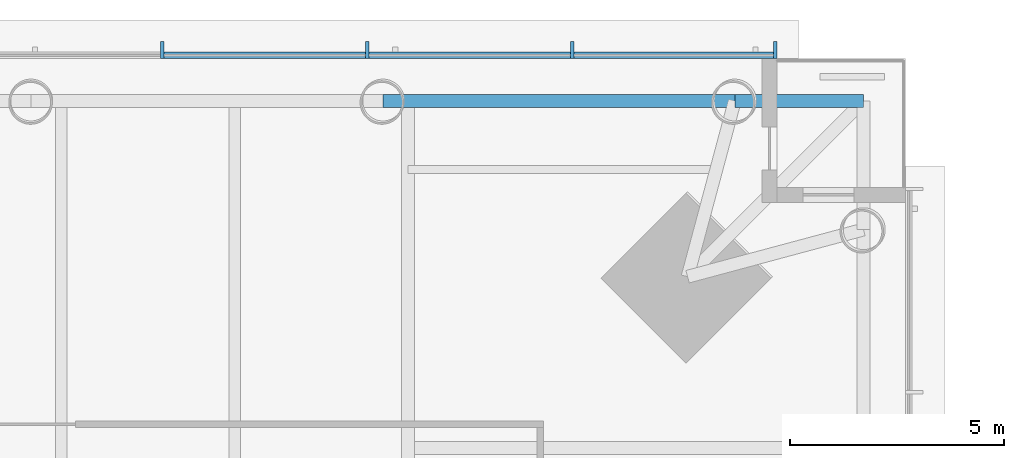
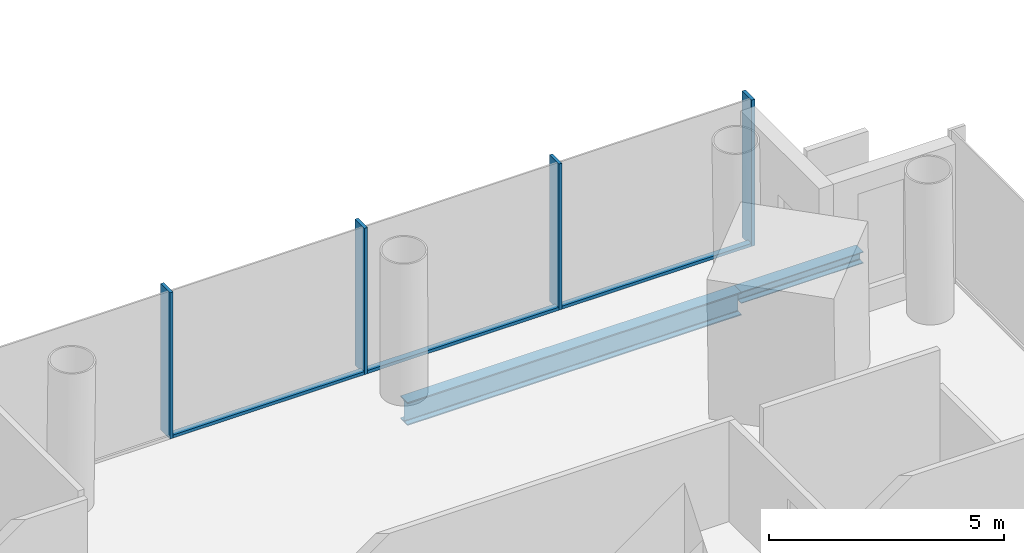
# One storey, part 4 of 26: 7 members, 2 beams, 1 element without a shape of its own.
"""IFC4 building model written with IfcOpenShell, lengths in metres."""

from ifc_helpers import new_model, si_unit, direction, frame, origin, origin_2d, place, context, subcontext, project, spatial, rectangle, i_section, extrude, material, material_profile, profile_set, type_object, element, aggregate, save


model = new_model("IFC4")

# Units and contexts
model_context = context("Model", 3, precision=1e-05, world=origin(), true_north=direction((0.0, 1.0)))
body_context = subcontext(model_context, "Body", "Model", "MODEL_VIEW")
ifc_project = project(units=[si_unit("LENGTHUNIT", "METRE"), si_unit("AREAUNIT", "SQUARE_METRE"), si_unit("VOLUMEUNIT", "CUBIC_METRE"), si_unit("PLANEANGLEUNIT", "RADIAN"), si_unit("MASSUNIT", "GRAM", prefix="KILO")], contexts=[model_context])

# Site, building, storey
site_placement = place(None, origin())
site = spatial("IfcSite", under=ifc_project, at=site_placement, CompositionType="ELEMENT")
building_placement = place(site_placement, origin())
building = spatial("IfcBuilding", under=site, at=building_placement, Name="Ostroluk Exchange", CompositionType="ELEMENT")
storey_placement = place(building_placement, frame((0.0, 0.0, 36.199951171875)))
storey = spatial("IfcBuildingStorey", under=building, at=storey_placement, Name="L08", CompositionType="ELEMENT", Elevation=36.199951171875)

# Beams
ifc_material_1 = material(Name="Steel S355", Category="steel")
ifc_material_profile_1 = material_profile(ifc_material_1, i_section(OverallWidth=0.300048828125, OverallDepth=0.300048828125, WebThickness=0.010986328125, FlangeThickness=0.01904296875, FilletRadius=0.027099609375, at=origin_2d()), Name="HEB 300")
ifc_profile_set_1 = profile_set([ifc_material_profile_1], Name="Steel S355")
beam_type_1 = type_object("IfcBeamType", Name="Balcony beam HEB 300", PredefinedType="BEAM", material=ifc_profile_set_1)
beam_1_placement = place(storey_placement, frame((65.514404296875, 69.514404296875, -0.329833984375), z_axis=(1.0, 0.0, 0.0), x_axis=(0.0, 1.0, 0.0)))
element("IfcBeam", 1, at=beam_1_placement, inside=storey, type_object=beam_type_1, Name="T1 east balcony beam b", PredefinedType="BEAM", context=body_context, shape_type="SweptSolid", body=[
    extrude(i_section(OverallWidth=0.300048828125, OverallDepth=0.300048828125, WebThickness=0.010986328125, FlangeThickness=0.01904296875, FilletRadius=0.027099609375, at=origin_2d()), origin(), (0.0, 0.0, 1.0), 3.0),
])
ifc_material_2 = material(Name="Steel S355", Category="steel")
ifc_material_profile_2 = material_profile(ifc_material_2, i_section(OverallWidth=0.300048828125, OverallDepth=0.60009765625, WebThickness=0.015380859375, FlangeThickness=0.030029296875, FilletRadius=0.027099609375, at=origin_2d()), Name="HEB 600")
ifc_profile_set_2 = profile_set([ifc_material_profile_2], Name="Steel S355")
beam_type_2 = type_object("IfcBeamType", Name="Moment-connected edge beam HEB 600", PredefinedType="SPANDREL", material=ifc_profile_set_2)
beam_2_placement = place(storey_placement, frame((65.514404296875, 69.514404296875, -0.47998046875), z_axis=(-1.0, 0.0, 0.0), x_axis=(0.0, -1.0, 0.0)))
element("IfcBeam", 2, at=beam_2_placement, inside=storey, type_object=beam_type_2, Name="T1 north edge beam 1", PredefinedType="SPANDREL", context=body_context, shape_type="SweptSolid", body=[
    extrude(i_section(OverallWidth=0.300048828125, OverallDepth=0.60009765625, WebThickness=0.015380859375, FlangeThickness=0.030029296875, FilletRadius=0.027099609375, at=origin_2d()), origin(), (0.0, 0.0, 1.0), 8.205810546875),
])

# Curtain wall, members
ifc_material_3 = material(Name="Laminated clear glass", Category="glass")
curtain_wall_type = type_object("IfcCurtainWallType", Name="Office tower facade", PredefinedType="USERDEFINED", material=ifc_material_3)
curtain_wall_placement = place(storey_placement, origin())
curtain_wall = element("IfcCurtainWall", 3, at=curtain_wall_placement, inside=storey, type_object=curtain_wall_type, Name="Office tower north facade L08", ObjectType="UNITISED CURTAIN WALL", PredefinedType="USERDEFINED")
ifc_material_4 = material(Name="Aluminium mullion", Category="aluminium")
ifc_material_profile_3 = material_profile(ifc_material_4, rectangle(XDim=0.14990234375, YDim=0.080078125, at=origin_2d()), Name="Sill transom 80 x 150")
ifc_profile_set_3 = profile_set([ifc_material_profile_3], Name="Aluminium mullion")
member_type_1 = type_object("IfcMemberType", Name="Sill transom 80 x 150", PredefinedType="USERDEFINED", material=ifc_profile_set_3)
member_1_placement = place(storey_placement, frame((66.419921875, 70.574951171875, 0.0400390625), z_axis=(-1.0, 0.0, 0.0), x_axis=(0.0, -1.0, 0.0)))
member_1 = element("IfcMember", 4, at=member_1_placement, type_object=member_type_1, Name="CW-O1 transom 1.1", ObjectType="TRANSOM", PredefinedType="USERDEFINED", context=body_context, shape_type="SweptSolid", body=[
    extrude(rectangle(XDim=0.14990234375, YDim=0.080078125, at=origin_2d()), origin(), (0.0, 0.0, 1.0), 4.65771484375),
])
member_2_placement = place(storey_placement, frame((61.68212890625, 70.574951171875, 0.0400390625), z_axis=(-1.0, 0.0, 0.0), x_axis=(0.0, -1.0, 0.0)))
member_2 = element("IfcMember", 5, at=member_2_placement, type_object=member_type_1, Name="CW-O1 transom 2.1", ObjectType="TRANSOM", PredefinedType="USERDEFINED", context=body_context, shape_type="SweptSolid", body=[
    extrude(rectangle(XDim=0.14990234375, YDim=0.080078125, at=origin_2d()), origin(), (0.0, 0.0, 1.0), 4.69775390625),
])
member_3_placement = place(storey_placement, frame((56.904541015625, 70.574951171875, 0.0400390625), z_axis=(-1.0, 0.0, 0.0), x_axis=(0.0, -1.0, 0.0)))
member_3 = element("IfcMember", 6, at=member_3_placement, type_object=member_type_1, Name="CW-O1 transom 3.1", ObjectType="TRANSOM", PredefinedType="USERDEFINED", context=body_context, shape_type="SweptSolid", body=[
    extrude(rectangle(XDim=0.14990234375, YDim=0.080078125, at=origin_2d()), origin(), (0.0, 0.0, 1.0), 4.69775390625),
])
ifc_material_5 = material(Name="Aluminium mullion with limestone facing", Category="masonry")
ifc_material_profile_4 = material_profile(ifc_material_5, rectangle(XDim=0.39990234375, YDim=0.080078125, at=origin_2d()), Name="Tracery mullion 80 x 400")
ifc_profile_set_4 = profile_set([ifc_material_profile_4], Name="Aluminium mullion with limestone facing")
member_type_2 = type_object("IfcMemberType", Name="Tracery mullion 80 x 400", PredefinedType="MULLION", material=ifc_profile_set_4)
member_4_placement = place(storey_placement, frame((66.4599609375, 70.699951171875, 0.0), z_axis=(0.0, 0.0, 1.0), x_axis=(0.0, -1.0, 0.0)))
member_4 = element("IfcMember", 7, at=member_4_placement, type_object=member_type_2, Name="CW-O1 mullion 1", PredefinedType="MULLION", context=body_context, shape_type="SweptSolid", body=[
    extrude(rectangle(XDim=0.39990234375, YDim=0.080078125, at=origin_2d()), origin(), (0.0, 0.0, 1.0), 3.800048828125),
])
member_5_placement = place(storey_placement, frame((61.72216796875, 70.699951171875, 0.0), z_axis=(0.0, 0.0, 1.0), x_axis=(0.0, -1.0, 0.0)))
member_5 = element("IfcMember", 8, at=member_5_placement, type_object=member_type_2, Name="CW-O1 mullion 2", PredefinedType="MULLION", context=body_context, shape_type="SweptSolid", body=[
    extrude(rectangle(XDim=0.39990234375, YDim=0.080078125, at=origin_2d()), origin(), (0.0, 0.0, 1.0), 3.800048828125),
])
member_6_placement = place(storey_placement, frame((56.9443359375, 70.699951171875, 0.0), z_axis=(0.0, 0.0, 1.0), x_axis=(0.0, -1.0, 0.0)))
member_6 = element("IfcMember", 9, at=member_6_placement, type_object=member_type_2, Name="CW-O1 mullion 3", PredefinedType="MULLION", context=body_context, shape_type="SweptSolid", body=[
    extrude(rectangle(XDim=0.39990234375, YDim=0.080078125, at=origin_2d()), origin(), (0.0, 0.0, 1.0), 3.800048828125),
])
member_7_placement = place(storey_placement, frame((52.166748046875, 70.699951171875, 0.0), z_axis=(0.0, 0.0, 1.0), x_axis=(0.0, -1.0, 0.0)))
member_7 = element("IfcMember", 10, at=member_7_placement, type_object=member_type_2, Name="CW-O1 mullion 4", PredefinedType="MULLION", context=body_context, shape_type="SweptSolid", body=[
    extrude(rectangle(XDim=0.39990234375, YDim=0.080078125, at=origin_2d()), origin(), (0.0, 0.0, 1.0), 3.800048828125),
])
aggregate(curtain_wall, [member_4, member_5, member_6, member_7, member_1, member_2, member_3])

save(model, "model.ifc")
